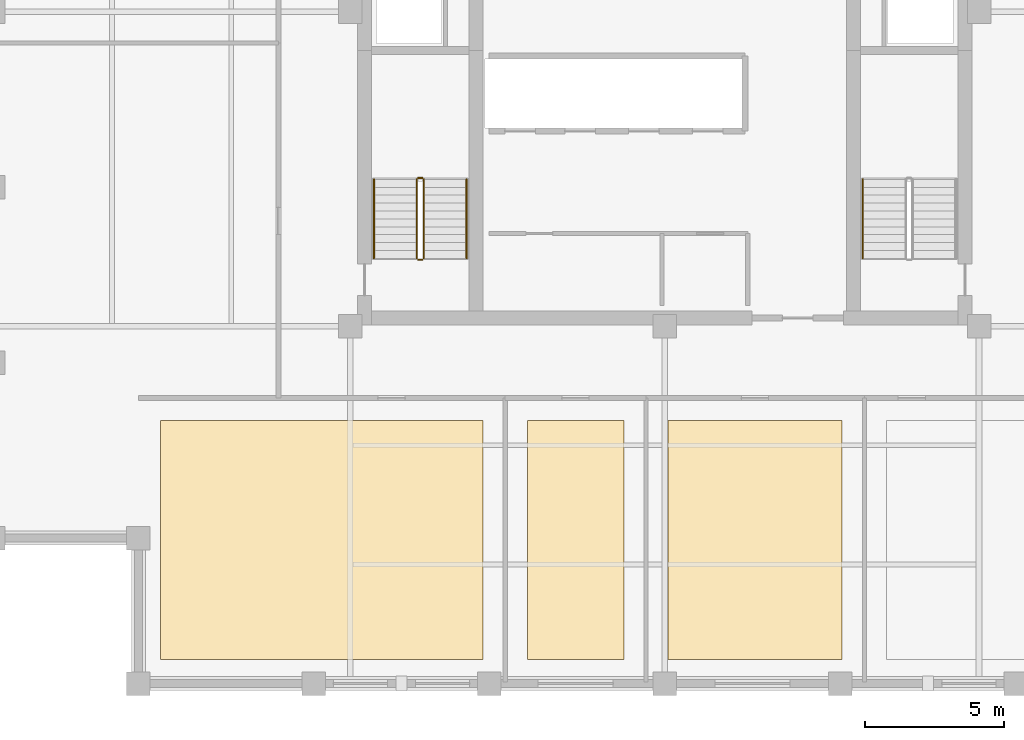
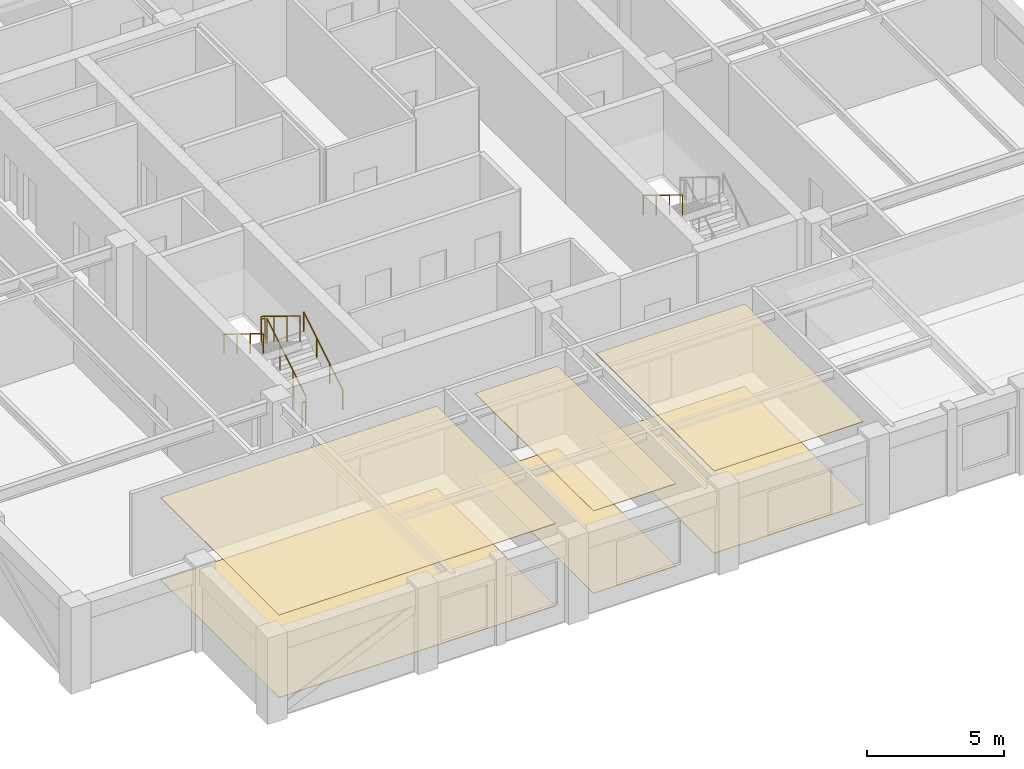
# One storey, part 9 of 11: 7 railings, 6 coverings.
"""IFC4 building model written with IfcOpenShell, lengths in metres."""

from ifc_helpers import new_model, si_unit, direction, frame, origin, origin_2d, place, context, subcontext, project, spatial, polyline, circle, outline, extrude, material, layer, layer_set, type_object, element, save


model = new_model("IFC4")

# Units and contexts
model_context = context("Model", 3, precision=1e-05, world=origin(), true_north=direction((0.0, 1.0)))
body_context = subcontext(model_context, "Body", "Model", "MODEL_VIEW")
ifc_project = project(units=[si_unit("LENGTHUNIT", "METRE"), si_unit("AREAUNIT", "SQUARE_METRE"), si_unit("VOLUMEUNIT", "CUBIC_METRE"), si_unit("PLANEANGLEUNIT", "RADIAN"), si_unit("MASSUNIT", "GRAM", prefix="KILO")], contexts=[model_context])

# Site, building, storey
site_placement = place(None, origin())
site = spatial("IfcSite", under=ifc_project, at=site_placement, CompositionType="ELEMENT")
building_placement = place(site_placement, origin())
building = spatial("IfcBuilding", under=site, at=building_placement, Name="Nhamokura Convention Tower", CompositionType="ELEMENT")
storey_placement = place(building_placement, frame((0.0, 0.0, 198.449951171875)))
storey = spatial("IfcBuildingStorey", under=building, at=storey_placement, Name="L48", CompositionType="ELEMENT", Elevation=198.449951171875)

# Coverings
ifc_material_1 = material(Name="Mineral-fibre acoustic ceiling tile", Category="gypsum")
ifc_layer_1 = layer(ifc_material_1, 0.02490234375)
ifc_layer_set_1 = layer_set([ifc_layer_1], Name="AcousticTileCeiling_25")
covering_type_1 = type_object("IfcCoveringType", Name="AcousticTileCeiling_25", PredefinedType="CEILING", material=ifc_layer_set_1)
covering_1_placement = place(storey_placement, frame((0.0, 0.0, 3.66015625)))
element("IfcCovering", 1, at=covering_1_placement, inside=storey, type_object=covering_type_1, Name="L48 Suspended Ceiling 01", PredefinedType="CEILING", context=body_context, shape_type="SweptSolid", body=[
    extrude(outline(polyline([(13.800048828125, 8.610107421875), (25.441650390625, 8.610107421875), (25.441650390625, 17.25), (13.800048828125, 17.25), (13.800048828125, 8.610107421875)])), origin(), (0.0, 0.0, 1.0), 0.02490234375),
])
covering_2_placement = place(storey_placement, frame((0.0, 0.0, 3.66015625)))
element("IfcCovering", 2, at=covering_2_placement, inside=storey, type_object=covering_type_1, Name="L48 Suspended Ceiling 02", PredefinedType="CEILING", context=body_context, shape_type="SweptSolid", body=[
    extrude(outline(polyline([(27.041748046875, 8.610107421875), (30.52490234375, 8.610107421875), (30.52490234375, 17.25), (27.041748046875, 17.25), (27.041748046875, 8.610107421875)])), origin(), (0.0, 0.0, 1.0), 0.02490234375),
])
covering_3_placement = place(storey_placement, frame((0.0, 0.0, 3.66015625)))
element("IfcCovering", 3, at=covering_3_placement, inside=storey, type_object=covering_type_1, Name="L48 Suspended Ceiling 03", PredefinedType="CEILING", context=body_context, shape_type="SweptSolid", body=[
    extrude(outline(polyline([(32.125, 8.610107421875), (38.408203125, 8.610107421875), (38.408203125, 17.25), (32.125, 17.25), (32.125, 8.610107421875)])), origin(), (0.0, 0.0, 1.0), 0.02490234375),
])

# Railings
ifc_material_2 = material(Name="Anodised bronze stainless steel", Category="steel")
railing_type_1 = type_object("IfcRailingType", Name="StairWallHandrail_900", PredefinedType="HANDRAIL", material=ifc_material_2)
railing_1_placement = place(storey_placement, frame((24.85009765625, 23.10009765625, 0.175048828125)))
element("IfcRailing", 4, at=railing_1_placement, inside=storey, type_object=railing_type_1, Name="L48 ST-01 stair handrail 1", PredefinedType="HANDRAIL", context=body_context, shape_type="SweptSolid", body=[
    extrude(circle(Radius=0.02392578125, at=origin_2d()), frame((0.0, 0.0, 0.8759765625), z_axis=(0.0, 0.852159232446, 0.523282564737), x_axis=(-1.0, 0.0, 0.0)), (0.0, 0.0, 1.0), 3.34423828125),
    extrude(circle(Radius=0.02099609375, at=origin_2d()), origin(), (0.0, 0.0, 1.0), 0.851806640625),
    extrude(circle(Radius=0.02099609375, at=origin_2d()), frame((0.0, 0.949951171875, 0.583251953125)), (0.0, 0.0, 1.0), 0.851806640625),
    extrude(circle(Radius=0.02099609375, at=origin_2d()), frame((0.0, 1.89990234375, 1.166748046875)), (0.0, 0.0, 1.0), 0.851806640625),
    extrude(circle(Radius=0.02099609375, at=origin_2d()), frame((0.0, 2.849853515625, 1.75)), (0.0, 0.0, 1.0), 0.851806640625),
])
for number, where, name in (
    (5, (21.5, 25.949951171875, 2.10009765625), "L48 ST-01 stair handrail 2"),
    (6, (39.14990234375, 25.949951171875, 2.10009765625), "L48 ST-02 stair handrail 2"),
):
    element("IfcRailing", number, at=place(storey_placement, frame(where)), inside=storey, type_object=railing_type_1, Name=name, PredefinedType="HANDRAIL", context=body_context, shape_type="SweptSolid", body=[
        extrude(circle(Radius=0.02392578125, at=origin_2d()), frame((0.0, 0.0, 0.8759765625), z_axis=(0.0, -0.852159232446, 0.523282564737), x_axis=(1.0, 0.0, 0.0)), (0.0, 0.0, 1.0), 3.34423828125),
        extrude(circle(Radius=0.02099609375, at=origin_2d()), origin(), (0.0, 0.0, 1.0), 0.851806640625),
        extrude(circle(Radius=0.02099609375, at=origin_2d()), frame((0.0, -0.949951171875, 0.583251953125)), (0.0, 0.0, 1.0), 0.851806640625),
        extrude(circle(Radius=0.02099609375, at=origin_2d()), frame((0.0, -1.89990234375, 1.166748046875)), (0.0, 0.0, 1.0), 0.851806640625),
        extrude(circle(Radius=0.02099609375, at=origin_2d()), frame((0.0, -2.849853515625, 1.75)), (0.0, 0.0, 1.0), 0.851806640625),
    ])
ifc_material_3 = material(Name="Painted tubular steel", Category="steel")
railing_type_2 = type_object("IfcRailingType", Name="StairWellGuardrail_1150", PredefinedType="GUARDRAIL", material=ifc_material_3)
railing_2_placement = place(storey_placement, frame((23.300048828125, 23.10009765625, 0.175048828125)))
element("IfcRailing", 7, at=railing_2_placement, inside=storey, type_object=railing_type_2, Name="L48 ST-01 stair guard 1", PredefinedType="GUARDRAIL", context=body_context, shape_type="SweptSolid", body=[
    extrude(circle(Radius=0.02392578125, at=origin_2d()), frame((0.0, 0.0, 1.1259765625), z_axis=(0.0, 0.852159232446, 0.523282564737), x_axis=(-1.0, 0.0, 0.0)), (0.0, 0.0, 1.0), 3.34423828125),
    extrude(circle(Radius=0.02099609375, at=origin_2d()), origin(), (0.0, 0.0, 1.0), 1.101806640625),
    extrude(circle(Radius=0.02099609375, at=origin_2d()), frame((0.0, 0.949951171875, 0.583251953125)), (0.0, 0.0, 1.0), 1.101806640625),
    extrude(circle(Radius=0.02099609375, at=origin_2d()), frame((0.0, 1.89990234375, 1.166748046875)), (0.0, 0.0, 1.0), 1.101806640625),
    extrude(circle(Radius=0.02099609375, at=origin_2d()), frame((0.0, 2.849853515625, 1.75)), (0.0, 0.0, 1.0), 1.101806640625),
])
railing_3_placement = place(storey_placement, frame((23.25, 26.0, 1.925048828125)))
element("IfcRailing", 8, at=railing_3_placement, inside=storey, type_object=railing_type_2, Name="L48 ST-01 stair guard 2", PredefinedType="GUARDRAIL", context=body_context, shape_type="SweptSolid", body=[
    extrude(circle(Radius=0.02392578125, at=origin_2d()), frame((0.0, 0.0, 1.1259765625), z_axis=(-1.0, 0.0, 0.0), x_axis=(0.0, -1.0, 0.0)), (0.0, 0.0, 1.0), 0.14990234375),
    extrude(circle(Radius=0.02099609375, at=origin_2d()), origin(), (0.0, 0.0, 1.0), 1.101806640625),
    extrude(circle(Radius=0.02099609375, at=origin_2d()), frame((-0.14990234375, 0.0, 0.0)), (0.0, 0.0, 1.0), 1.101806640625),
])
railing_4_placement = place(storey_placement, frame((23.050048828125, 25.949951171875, 2.10009765625)))
element("IfcRailing", 9, at=railing_4_placement, inside=storey, type_object=railing_type_2, Name="L48 ST-01 stair guard 3", PredefinedType="GUARDRAIL", context=body_context, shape_type="SweptSolid", body=[
    extrude(circle(Radius=0.02392578125, at=origin_2d()), frame((0.0, 0.0, 1.1259765625), z_axis=(0.0, -0.852159232446, 0.523282564737), x_axis=(1.0, 0.0, 0.0)), (0.0, 0.0, 1.0), 3.34423828125),
    extrude(circle(Radius=0.02099609375, at=origin_2d()), origin(), (0.0, 0.0, 1.0), 1.101806640625),
    extrude(circle(Radius=0.02099609375, at=origin_2d()), frame((0.0, -0.949951171875, 0.583251953125)), (0.0, 0.0, 1.0), 1.101806640625),
    extrude(circle(Radius=0.02099609375, at=origin_2d()), frame((0.0, -1.89990234375, 1.166748046875)), (0.0, 0.0, 1.0), 1.101806640625),
    extrude(circle(Radius=0.02099609375, at=origin_2d()), frame((0.0, -2.849853515625, 1.75)), (0.0, 0.0, 1.0), 1.101806640625),
])
railing_5_placement = place(storey_placement, frame((23.25, 23.050048828125, 0.0)))
element("IfcRailing", 10, at=railing_5_placement, inside=storey, type_object=railing_type_2, Name="L48 ST-01 stair guard 4", PredefinedType="GUARDRAIL", context=body_context, shape_type="SweptSolid", body=[
    extrude(circle(Radius=0.02392578125, at=origin_2d()), frame((0.0, 0.0, 1.1259765625), z_axis=(-1.0, 0.0, 0.0), x_axis=(0.0, -1.0, 0.0)), (0.0, 0.0, 1.0), 0.14990234375),
    extrude(circle(Radius=0.02099609375, at=origin_2d()), origin(), (0.0, 0.0, 1.0), 1.101806640625),
    extrude(circle(Radius=0.02099609375, at=origin_2d()), frame((-0.14990234375, 0.0, 0.0)), (0.0, 0.0, 1.0), 1.101806640625),
])

# Coverings
ifc_material_4 = material(Name="Acoustic woven hospitality carpet", Category="wood")
ifc_layer_2 = layer(ifc_material_4, 0.014892578125)
ifc_layer_set_2 = layer_set([ifc_layer_2], Name="WovenCarpetFlooring_15")
covering_type_2 = type_object("IfcCoveringType", Name="WovenCarpetFlooring_15", PredefinedType="FLOORING", material=ifc_layer_set_2)
covering_4_placement = place(storey_placement, origin())
element("IfcCovering", 11, at=covering_4_placement, inside=storey, type_object=covering_type_2, Name="L48 Finish Flooring 01", PredefinedType="FLOORING", context=body_context, shape_type="SweptSolid", body=[
    extrude(outline(polyline([(13.800048828125, 8.610107421875), (25.441650390625, 8.610107421875), (25.441650390625, 17.25), (13.800048828125, 17.25), (13.800048828125, 8.610107421875)])), origin(), (0.0, 0.0, 1.0), 0.01513671875),
])
covering_5_placement = place(storey_placement, origin())
element("IfcCovering", 12, at=covering_5_placement, inside=storey, type_object=covering_type_2, Name="L48 Finish Flooring 02", PredefinedType="FLOORING", context=body_context, shape_type="SweptSolid", body=[
    extrude(outline(polyline([(27.041748046875, 8.610107421875), (30.52490234375, 8.610107421875), (30.52490234375, 17.25), (27.041748046875, 17.25), (27.041748046875, 8.610107421875)])), origin(), (0.0, 0.0, 1.0), 0.01513671875),
])
covering_6_placement = place(storey_placement, origin())
element("IfcCovering", 13, at=covering_6_placement, inside=storey, type_object=covering_type_2, Name="L48 Finish Flooring 03", PredefinedType="FLOORING", context=body_context, shape_type="SweptSolid", body=[
    extrude(outline(polyline([(32.125, 8.610107421875), (38.408203125, 8.610107421875), (38.408203125, 17.25), (32.125, 17.25), (32.125, 8.610107421875)])), origin(), (0.0, 0.0, 1.0), 0.01513671875),
])

save(model, "model.ifc")
